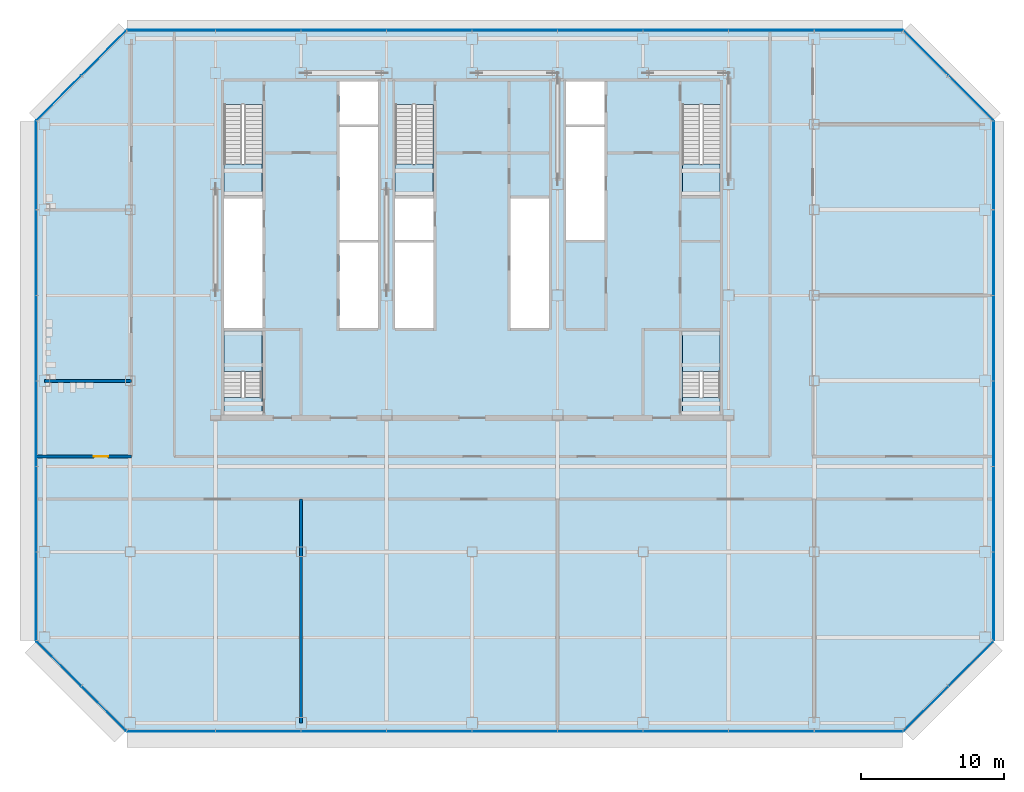
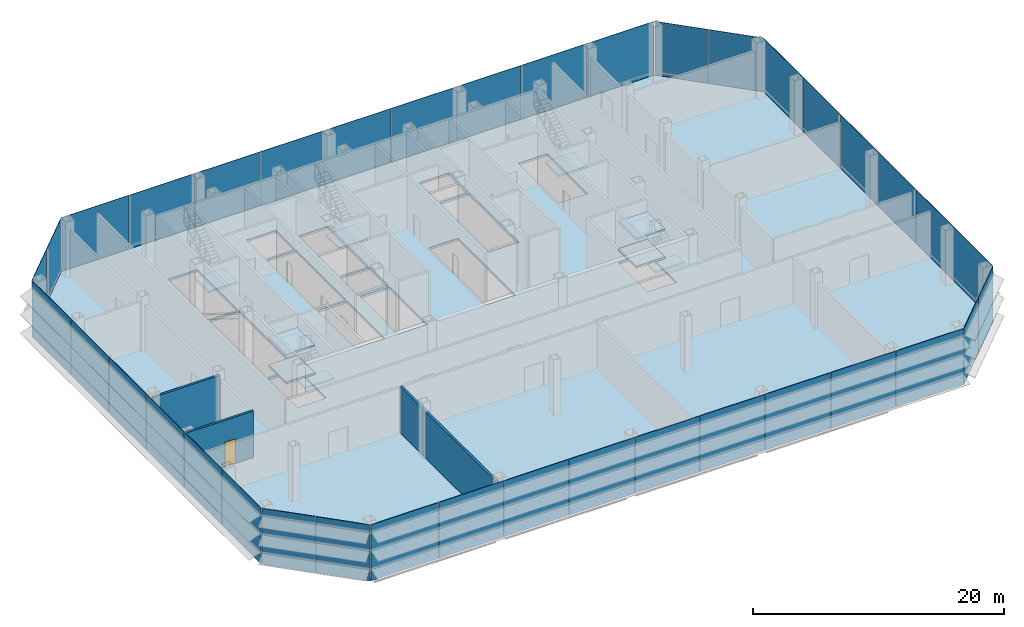
# One storey, part 15 of 23: 38 plates, 10 slabs, 3 walls, 1 door, 1 opening, 13 elements without a shape of their own.
"""IFC4 building model written with IfcOpenShell, lengths in metres."""

from ifc_helpers import new_model, si_unit, direction, frame, frame_2d, origin, origin_2d, place, context, subcontext, project, spatial, polyline, rectangle, outline, extrude, material, layer, layer_set, type_object, element, fill, aggregate, save


model = new_model("IFC4")

# Units and contexts
model_context = context("Model", 3, precision=1e-05, world=origin(), true_north=direction((0.0, 1.0)))
body_context = subcontext(model_context, "Body", "Model", "MODEL_VIEW")
ifc_project = project(units=[si_unit("LENGTHUNIT", "METRE"), si_unit("AREAUNIT", "SQUARE_METRE"), si_unit("VOLUMEUNIT", "CUBIC_METRE"), si_unit("PLANEANGLEUNIT", "RADIAN"), si_unit("MASSUNIT", "GRAM", prefix="KILO")], contexts=[model_context])

# Site, building, storey
site_placement = place(None, origin())
site = spatial("IfcSite", under=ifc_project, at=site_placement, CompositionType="ELEMENT")
building_placement = place(site_placement, origin())
building = spatial("IfcBuilding", under=site, at=building_placement, Name="Sorahane Residences", CompositionType="ELEMENT")
storey_placement = place(building_placement, frame((0.0, 0.0, 114.199951171875)))
storey = spatial("IfcBuildingStorey", under=building, at=storey_placement, Name="L25", CompositionType="ELEMENT", Elevation=114.199951171875)

# Slab
ifc_material_1 = material(Name="Concrete C35", Category="concrete")
ifc_layer_1 = layer(ifc_material_1, 0.219970703125)
ifc_layer_set_1 = layer_set([ifc_layer_1], Name="Composite floor slab 220 mm Concrete C35")
slab_type_1 = type_object("IfcSlabType", Name="Composite floor slab 220 mm Concrete C35", PredefinedType="FLOOR", material=ifc_layer_set_1)
slab_1_placement = place(storey_placement, frame((0.0, 0.0, -0.219970703125)))
element("IfcSlab", 1, at=slab_1_placement, inside=storey, type_object=slab_type_1, Name="Slab L25", PredefinedType="FLOOR", context=body_context, shape_type="SweptSolid", body=[
    extrude(outline(polyline([(-0.24853515625, -0.60009765625), (-6.60009765625, 5.75146484375), (-6.60009765625, 42.24853515625), (-0.24853515625, 48.60009765625), (54.24853515625, 48.60009765625), (60.60009765625, 42.24853515625), (60.60009765625, 5.75146484375), (54.24853515625, -0.60009765625), (-0.24853515625, -0.60009765625)]), holes=[polyline([(18.60009765625, 27.699951171875), (21.300048828125, 27.699951171875), (21.300048828125, 33.699951171875), (18.60009765625, 33.699951171875), (18.60009765625, 27.699951171875)]), polyline([(30.60009765625, 42.0), (33.300048828125, 42.0), (33.300048828125, 45.0), (30.60009765625, 45.0), (30.60009765625, 42.0)]), polyline([(14.699951171875, 27.699951171875), (17.39990234375, 27.699951171875), (17.39990234375, 33.699951171875), (14.699951171875, 33.699951171875), (14.699951171875, 27.699951171875)]), polyline([(14.699951171875, 42.0), (17.39990234375, 42.0), (17.39990234375, 45.0), (14.699951171875, 45.0), (14.699951171875, 42.0)]), polyline([(6.60009765625, 27.699951171875), (9.300048828125, 27.699951171875), (9.300048828125, 36.800048828125), (6.60009765625, 36.800048828125), (6.60009765625, 27.699951171875)]), polyline([(6.60009765625, 43.39990234375), (6.60009765625, 37.0), (9.25, 37.0), (9.25, 43.39990234375), (6.60009765625, 43.39990234375)]), polyline([(38.75, 43.39990234375), (38.75, 37.0), (41.39990234375, 37.0), (41.39990234375, 43.39990234375), (38.75, 43.39990234375)]), polyline([(18.60009765625, 43.39990234375), (18.60009765625, 37.0), (21.25, 37.0), (21.25, 43.39990234375), (18.60009765625, 43.39990234375)]), polyline([(9.25, 22.85009765625), (9.25, 27.5), (6.60009765625, 27.5), (6.60009765625, 22.85009765625), (9.25, 22.85009765625)]), polyline([(41.39990234375, 22.85009765625), (41.39990234375, 27.5), (38.75, 27.5), (38.75, 22.85009765625), (41.39990234375, 22.85009765625)]), polyline([(14.699951171875, 33.89990234375), (17.39990234375, 33.89990234375), (17.39990234375, 41.800048828125), (14.699951171875, 41.800048828125), (14.699951171875, 33.89990234375)]), polyline([(30.60009765625, 33.89990234375), (33.300048828125, 33.89990234375), (33.300048828125, 41.800048828125), (30.60009765625, 41.800048828125), (30.60009765625, 33.89990234375)]), polyline([(18.60009765625, 33.89990234375), (21.300048828125, 33.89990234375), (21.300048828125, 36.800048828125), (18.60009765625, 36.800048828125), (18.60009765625, 33.89990234375)]), polyline([(26.699951171875, 27.699951171875), (29.39990234375, 27.699951171875), (29.39990234375, 36.800048828125), (26.699951171875, 36.800048828125), (26.699951171875, 27.699951171875)])]), origin(), (0.0, 0.0, 1.0), 0.219970703125),
])

# Curtain wall, plates
ifc_material_2 = material(Name="Dark low-e glass and black anodised aluminium", Category="aluminium")
curtain_wall_type = type_object("IfcCurtainWallType", Name="Curtain wall CW-4 Sky floor frameless wall", PredefinedType="NOTDEFINED", material=ifc_material_2)
curtain_wall_1_placement = place(storey_placement, origin())
curtain_wall_1 = element("IfcCurtainWall", 2, at=curtain_wall_1_placement, inside=storey, type_object=curtain_wall_type, Name="CW-4 curtain wall L25 S1", PredefinedType="NOTDEFINED")
ifc_material_3 = material(Name="Dark low-e glass with black ceramic frit", Category="glass")
ifc_layer_2 = layer(ifc_material_3, 0.0400390625)
ifc_layer_set_2 = layer_set([ifc_layer_2], Name="Curtain wall glass panel dark low-e frameless with black frit band")
plate_type = type_object("IfcPlateType", Name="Curtain wall glass panel dark low-e frameless with black frit band", PredefinedType="CURTAIN_PANEL", material=ifc_layer_set_2)
plate_1_placement = place(storey_placement, frame((2.88818359375, -0.60009765625, -0.219970703125), z_axis=(0.0, 0.0, 1.0), x_axis=(1.0, 0.0, 0.0)))
plate_1 = element("IfcPlate", 3, at=plate_1_placement, type_object=plate_type, Name="CW-4 glass panel L25 S1.1", PredefinedType="CURTAIN_PANEL", context=body_context, shape_type="SweptSolid", body=[
    extrude(rectangle(XDim=6.173583984375, YDim=0.0400390625, at=origin_2d()), origin(), (0.0, 0.0, 1.0), 5.43994140625),
])
plate_2_placement = place(storey_placement, frame((9.0, -0.60009765625, -0.219970703125), z_axis=(0.0, 0.0, 1.0), x_axis=(1.0, 0.0, 0.0)))
plate_2 = element("IfcPlate", 4, at=plate_2_placement, type_object=plate_type, Name="CW-4 glass panel L25 S1.2", PredefinedType="CURTAIN_PANEL", context=body_context, shape_type="SweptSolid", body=[
    extrude(rectangle(XDim=5.949951171875, YDim=0.0400390625, at=origin_2d()), origin(), (0.0, 0.0, 1.0), 5.43994140625),
])
plate_3_placement = place(storey_placement, frame((15.0, -0.60009765625, -0.219970703125), z_axis=(0.0, 0.0, 1.0), x_axis=(1.0, 0.0, 0.0)))
plate_3 = element("IfcPlate", 5, at=plate_3_placement, type_object=plate_type, Name="CW-4 glass panel L25 S1.3", PredefinedType="CURTAIN_PANEL", context=body_context, shape_type="SweptSolid", body=[
    extrude(rectangle(XDim=5.949951171875, YDim=0.0400390625, at=origin_2d()), origin(), (0.0, 0.0, 1.0), 5.43994140625),
])
plate_4_placement = place(storey_placement, frame((21.0, -0.60009765625, -0.219970703125), z_axis=(0.0, 0.0, 1.0), x_axis=(1.0, 0.0, 0.0)))
plate_4 = element("IfcPlate", 6, at=plate_4_placement, type_object=plate_type, Name="CW-4 glass panel L25 S1.4", PredefinedType="CURTAIN_PANEL", context=body_context, shape_type="SweptSolid", body=[
    extrude(rectangle(XDim=5.949951171875, YDim=0.0400390625, at=origin_2d()), origin(), (0.0, 0.0, 1.0), 5.43994140625),
])
plate_5_placement = place(storey_placement, frame((27.0, -0.60009765625, -0.219970703125), z_axis=(0.0, 0.0, 1.0), x_axis=(1.0, 0.0, 0.0)))
plate_5 = element("IfcPlate", 7, at=plate_5_placement, type_object=plate_type, Name="CW-4 glass panel L25 S1.5", PredefinedType="CURTAIN_PANEL", context=body_context, shape_type="SweptSolid", body=[
    extrude(rectangle(XDim=5.949951171875, YDim=0.0400390625, at=origin_2d()), origin(), (0.0, 0.0, 1.0), 5.43994140625),
])
plate_6_placement = place(storey_placement, frame((33.0, -0.60009765625, -0.219970703125), z_axis=(0.0, 0.0, 1.0), x_axis=(1.0, 0.0, 0.0)))
plate_6 = element("IfcPlate", 8, at=plate_6_placement, type_object=plate_type, Name="CW-4 glass panel L25 S1.6", PredefinedType="CURTAIN_PANEL", context=body_context, shape_type="SweptSolid", body=[
    extrude(rectangle(XDim=5.949951171875, YDim=0.0400390625, at=origin_2d()), origin(), (0.0, 0.0, 1.0), 5.43994140625),
])
plate_7_placement = place(storey_placement, frame((39.0, -0.60009765625, -0.219970703125), z_axis=(0.0, 0.0, 1.0), x_axis=(1.0, 0.0, 0.0)))
plate_7 = element("IfcPlate", 9, at=plate_7_placement, type_object=plate_type, Name="CW-4 glass panel L25 S1.7", PredefinedType="CURTAIN_PANEL", context=body_context, shape_type="SweptSolid", body=[
    extrude(rectangle(XDim=5.949951171875, YDim=0.0400390625, at=origin_2d()), origin(), (0.0, 0.0, 1.0), 5.43994140625),
])
plate_8_placement = place(storey_placement, frame((45.0, -0.60009765625, -0.219970703125), z_axis=(0.0, 0.0, 1.0), x_axis=(1.0, 0.0, 0.0)))
plate_8 = element("IfcPlate", 10, at=plate_8_placement, type_object=plate_type, Name="CW-4 glass panel L25 S1.8", PredefinedType="CURTAIN_PANEL", context=body_context, shape_type="SweptSolid", body=[
    extrude(rectangle(XDim=5.949951171875, YDim=0.0400390625, at=origin_2d()), origin(), (0.0, 0.0, 1.0), 5.43994140625),
])
plate_9_placement = place(storey_placement, frame((51.11181640625, -0.60009765625, -0.219970703125), z_axis=(0.0, 0.0, 1.0), x_axis=(1.0, 0.0, 0.0)))
plate_9 = element("IfcPlate", 11, at=plate_9_placement, type_object=plate_type, Name="CW-4 glass panel L25 S1.9", PredefinedType="CURTAIN_PANEL", context=body_context, shape_type="SweptSolid", body=[
    extrude(rectangle(XDim=6.173583984375, YDim=0.0400390625, at=origin_2d()), origin(), (0.0, 0.0, 1.0), 5.43994140625),
])
aggregate(curtain_wall_1, [plate_1, plate_2, plate_3, plate_4, plate_5, plate_6, plate_7, plate_8, plate_9])

curtain_wall_2_placement = place(storey_placement, origin())
curtain_wall_2 = element("IfcCurtainWall", 12, at=curtain_wall_2_placement, inside=storey, type_object=curtain_wall_type, Name="CW-4 curtain wall L25 SE1", PredefinedType="NOTDEFINED")
plate_10_placement = place(storey_placement, frame((55.84521484375, 0.996826171875, -0.219970703125), z_axis=(0.0, 0.0, 1.0), x_axis=(0.707106781187, 0.707106781187, 0.0)))
plate_10 = element("IfcPlate", 13, at=plate_10_placement, type_object=plate_type, Name="CW-4 glass panel L25 SE1.1", PredefinedType="CURTAIN_PANEL", context=body_context, shape_type="SweptSolid", body=[
    extrude(rectangle(XDim=4.416259765625, YDim=0.0400390625, at=origin_2d()), origin(), (0.0, 0.0, 1.0), 5.43994140625),
])
plate_11_placement = place(storey_placement, frame((59.003173828125, 4.15478515625, -0.219970703125), z_axis=(0.0, 0.0, 1.0), x_axis=(0.707106781187, 0.707106781187, 0.0)))
plate_11 = element("IfcPlate", 14, at=plate_11_placement, type_object=plate_type, Name="CW-4 glass panel L25 SE1.2", PredefinedType="CURTAIN_PANEL", context=body_context, shape_type="SweptSolid", body=[
    extrude(rectangle(XDim=4.416259765625, YDim=0.0400390625, at=origin_2d()), origin(), (0.0, 0.0, 1.0), 5.43994140625),
])
aggregate(curtain_wall_2, [plate_10, plate_11])

curtain_wall_3_placement = place(storey_placement, origin())
curtain_wall_3 = element("IfcCurtainWall", 15, at=curtain_wall_3_placement, inside=storey, type_object=curtain_wall_type, Name="CW-4 curtain wall L25 E1", PredefinedType="NOTDEFINED")
plate_12_placement = place(storey_placement, frame((60.60009765625, 8.88818359375, -0.219970703125), z_axis=(0.0, 0.0, 1.0), x_axis=(0.0, 1.0, 0.0)))
plate_12 = element("IfcPlate", 16, at=plate_12_placement, type_object=plate_type, Name="CW-4 glass panel L25 E1.1", PredefinedType="CURTAIN_PANEL", context=body_context, shape_type="SweptSolid", body=[
    extrude(rectangle(XDim=6.173583984375, YDim=0.0400390625, at=origin_2d()), origin(), (0.0, 0.0, 1.0), 5.43994140625),
])
plate_13_placement = place(storey_placement, frame((60.60009765625, 15.0, -0.219970703125), z_axis=(0.0, 0.0, 1.0), x_axis=(0.0, 1.0, 0.0)))
plate_13 = element("IfcPlate", 17, at=plate_13_placement, type_object=plate_type, Name="CW-4 glass panel L25 E1.2", PredefinedType="CURTAIN_PANEL", context=body_context, shape_type="SweptSolid", body=[
    extrude(rectangle(XDim=5.949951171875, YDim=0.0400390625, at=origin_2d()), origin(), (0.0, 0.0, 1.0), 5.43994140625),
])
plate_14_placement = place(storey_placement, frame((60.60009765625, 21.0, -0.219970703125), z_axis=(0.0, 0.0, 1.0), x_axis=(0.0, 1.0, 0.0)))
plate_14 = element("IfcPlate", 18, at=plate_14_placement, type_object=plate_type, Name="CW-4 glass panel L25 E1.3", PredefinedType="CURTAIN_PANEL", context=body_context, shape_type="SweptSolid", body=[
    extrude(rectangle(XDim=5.949951171875, YDim=0.0400390625, at=origin_2d()), origin(), (0.0, 0.0, 1.0), 5.43994140625),
])
plate_15_placement = place(storey_placement, frame((60.60009765625, 27.0, -0.219970703125), z_axis=(0.0, 0.0, 1.0), x_axis=(0.0, 1.0, 0.0)))
plate_15 = element("IfcPlate", 19, at=plate_15_placement, type_object=plate_type, Name="CW-4 glass panel L25 E1.4", PredefinedType="CURTAIN_PANEL", context=body_context, shape_type="SweptSolid", body=[
    extrude(rectangle(XDim=5.949951171875, YDim=0.0400390625, at=origin_2d()), origin(), (0.0, 0.0, 1.0), 5.43994140625),
])
plate_16_placement = place(storey_placement, frame((60.60009765625, 33.0, -0.219970703125), z_axis=(0.0, 0.0, 1.0), x_axis=(0.0, 1.0, 0.0)))
plate_16 = element("IfcPlate", 20, at=plate_16_placement, type_object=plate_type, Name="CW-4 glass panel L25 E1.5", PredefinedType="CURTAIN_PANEL", context=body_context, shape_type="SweptSolid", body=[
    extrude(rectangle(XDim=5.949951171875, YDim=0.0400390625, at=origin_2d()), origin(), (0.0, 0.0, 1.0), 5.43994140625),
])
plate_17_placement = place(storey_placement, frame((60.60009765625, 39.11181640625, -0.219970703125), z_axis=(0.0, 0.0, 1.0), x_axis=(0.0, 1.0, 0.0)))
plate_17 = element("IfcPlate", 21, at=plate_17_placement, type_object=plate_type, Name="CW-4 glass panel L25 E1.6", PredefinedType="CURTAIN_PANEL", context=body_context, shape_type="SweptSolid", body=[
    extrude(rectangle(XDim=6.173583984375, YDim=0.0400390625, at=origin_2d()), origin(), (0.0, 0.0, 1.0), 5.43994140625),
])
aggregate(curtain_wall_3, [plate_12, plate_13, plate_14, plate_15, plate_16, plate_17])

curtain_wall_4_placement = place(storey_placement, origin())
curtain_wall_4 = element("IfcCurtainWall", 22, at=curtain_wall_4_placement, inside=storey, type_object=curtain_wall_type, Name="CW-4 curtain wall L25 NE1", PredefinedType="NOTDEFINED")
plate_18_placement = place(storey_placement, frame((59.003173828125, 43.84521484375, -0.219970703125), z_axis=(0.0, 0.0, 1.0), x_axis=(-0.707106781187, 0.707106781187, 0.0)))
plate_18 = element("IfcPlate", 23, at=plate_18_placement, type_object=plate_type, Name="CW-4 glass panel L25 NE1.1", PredefinedType="CURTAIN_PANEL", context=body_context, shape_type="SweptSolid", body=[
    extrude(rectangle(XDim=4.416259765625, YDim=0.0400390625, at=origin_2d()), origin(), (0.0, 0.0, 1.0), 5.43994140625),
])
plate_19_placement = place(storey_placement, frame((55.84521484375, 47.003173828125, -0.219970703125), z_axis=(0.0, 0.0, 1.0), x_axis=(-0.707106781187, 0.707106781187, 0.0)))
plate_19 = element("IfcPlate", 24, at=plate_19_placement, type_object=plate_type, Name="CW-4 glass panel L25 NE1.2", PredefinedType="CURTAIN_PANEL", context=body_context, shape_type="SweptSolid", body=[
    extrude(rectangle(XDim=4.416259765625, YDim=0.0400390625, at=origin_2d()), origin(), (0.0, 0.0, 1.0), 5.43994140625),
])
aggregate(curtain_wall_4, [plate_18, plate_19])

curtain_wall_5_placement = place(storey_placement, origin())
curtain_wall_5 = element("IfcCurtainWall", 25, at=curtain_wall_5_placement, inside=storey, type_object=curtain_wall_type, Name="CW-4 curtain wall L25 N1", PredefinedType="NOTDEFINED")
plate_20_placement = place(storey_placement, frame((51.11181640625, 48.60009765625, -0.219970703125), z_axis=(0.0, 0.0, 1.0), x_axis=(-1.0, 0.0, 0.0)))
plate_20 = element("IfcPlate", 26, at=plate_20_placement, type_object=plate_type, Name="CW-4 glass panel L25 N1.1", PredefinedType="CURTAIN_PANEL", context=body_context, shape_type="SweptSolid", body=[
    extrude(rectangle(XDim=6.173583984375, YDim=0.0400390625, at=origin_2d()), origin(), (0.0, 0.0, 1.0), 5.43994140625),
])
plate_21_placement = place(storey_placement, frame((45.0, 48.60009765625, -0.219970703125), z_axis=(0.0, 0.0, 1.0), x_axis=(-1.0, 0.0, 0.0)))
plate_21 = element("IfcPlate", 27, at=plate_21_placement, type_object=plate_type, Name="CW-4 glass panel L25 N1.2", PredefinedType="CURTAIN_PANEL", context=body_context, shape_type="SweptSolid", body=[
    extrude(rectangle(XDim=5.949951171875, YDim=0.0400390625, at=origin_2d()), origin(), (0.0, 0.0, 1.0), 5.43994140625),
])
plate_22_placement = place(storey_placement, frame((39.0, 48.60009765625, -0.219970703125), z_axis=(0.0, 0.0, 1.0), x_axis=(-1.0, 0.0, 0.0)))
plate_22 = element("IfcPlate", 28, at=plate_22_placement, type_object=plate_type, Name="CW-4 glass panel L25 N1.3", PredefinedType="CURTAIN_PANEL", context=body_context, shape_type="SweptSolid", body=[
    extrude(rectangle(XDim=5.949951171875, YDim=0.0400390625, at=origin_2d()), origin(), (0.0, 0.0, 1.0), 5.43994140625),
])
plate_23_placement = place(storey_placement, frame((33.0, 48.60009765625, -0.219970703125), z_axis=(0.0, 0.0, 1.0), x_axis=(-1.0, 0.0, 0.0)))
plate_23 = element("IfcPlate", 29, at=plate_23_placement, type_object=plate_type, Name="CW-4 glass panel L25 N1.4", PredefinedType="CURTAIN_PANEL", context=body_context, shape_type="SweptSolid", body=[
    extrude(rectangle(XDim=5.949951171875, YDim=0.0400390625, at=origin_2d()), origin(), (0.0, 0.0, 1.0), 5.43994140625),
])
plate_24_placement = place(storey_placement, frame((27.0, 48.60009765625, -0.219970703125), z_axis=(0.0, 0.0, 1.0), x_axis=(-1.0, 0.0, 0.0)))
plate_24 = element("IfcPlate", 30, at=plate_24_placement, type_object=plate_type, Name="CW-4 glass panel L25 N1.5", PredefinedType="CURTAIN_PANEL", context=body_context, shape_type="SweptSolid", body=[
    extrude(rectangle(XDim=5.949951171875, YDim=0.0400390625, at=origin_2d()), origin(), (0.0, 0.0, 1.0), 5.43994140625),
])
plate_25_placement = place(storey_placement, frame((21.0, 48.60009765625, -0.219970703125), z_axis=(0.0, 0.0, 1.0), x_axis=(-1.0, 0.0, 0.0)))
plate_25 = element("IfcPlate", 31, at=plate_25_placement, type_object=plate_type, Name="CW-4 glass panel L25 N1.6", PredefinedType="CURTAIN_PANEL", context=body_context, shape_type="SweptSolid", body=[
    extrude(rectangle(XDim=5.949951171875, YDim=0.0400390625, at=origin_2d()), origin(), (0.0, 0.0, 1.0), 5.43994140625),
])
plate_26_placement = place(storey_placement, frame((15.0, 48.60009765625, -0.219970703125), z_axis=(0.0, 0.0, 1.0), x_axis=(-1.0, 0.0, 0.0)))
plate_26 = element("IfcPlate", 32, at=plate_26_placement, type_object=plate_type, Name="CW-4 glass panel L25 N1.7", PredefinedType="CURTAIN_PANEL", context=body_context, shape_type="SweptSolid", body=[
    extrude(rectangle(XDim=5.949951171875, YDim=0.0400390625, at=origin_2d()), origin(), (0.0, 0.0, 1.0), 5.43994140625),
])
plate_27_placement = place(storey_placement, frame((9.0, 48.60009765625, -0.219970703125), z_axis=(0.0, 0.0, 1.0), x_axis=(-1.0, 0.0, 0.0)))
plate_27 = element("IfcPlate", 33, at=plate_27_placement, type_object=plate_type, Name="CW-4 glass panel L25 N1.8", PredefinedType="CURTAIN_PANEL", context=body_context, shape_type="SweptSolid", body=[
    extrude(rectangle(XDim=5.949951171875, YDim=0.0400390625, at=origin_2d()), origin(), (0.0, 0.0, 1.0), 5.43994140625),
])
plate_28_placement = place(storey_placement, frame((2.88818359375, 48.60009765625, -0.219970703125), z_axis=(0.0, 0.0, 1.0), x_axis=(-1.0, 0.0, 0.0)))
plate_28 = element("IfcPlate", 34, at=plate_28_placement, type_object=plate_type, Name="CW-4 glass panel L25 N1.9", PredefinedType="CURTAIN_PANEL", context=body_context, shape_type="SweptSolid", body=[
    extrude(rectangle(XDim=6.173583984375, YDim=0.0400390625, at=origin_2d()), origin(), (0.0, 0.0, 1.0), 5.43994140625),
])
aggregate(curtain_wall_5, [plate_20, plate_21, plate_22, plate_23, plate_24, plate_25, plate_26, plate_27, plate_28])

curtain_wall_6_placement = place(storey_placement, origin())
curtain_wall_6 = element("IfcCurtainWall", 35, at=curtain_wall_6_placement, inside=storey, type_object=curtain_wall_type, Name="CW-4 curtain wall L25 NW1", PredefinedType="NOTDEFINED")
plate_29_placement = place(storey_placement, frame((-1.84521484375, 47.003173828125, -0.219970703125), z_axis=(0.0, 0.0, 1.0), x_axis=(-0.707106781187, -0.707106781187, 0.0)))
plate_29 = element("IfcPlate", 36, at=plate_29_placement, type_object=plate_type, Name="CW-4 glass panel L25 NW1.1", PredefinedType="CURTAIN_PANEL", context=body_context, shape_type="SweptSolid", body=[
    extrude(rectangle(XDim=4.416259765625, YDim=0.0400390625, at=origin_2d()), origin(), (0.0, 0.0, 1.0), 5.43994140625),
])
plate_30_placement = place(storey_placement, frame((-5.003173828125, 43.84521484375, -0.219970703125), z_axis=(0.0, 0.0, 1.0), x_axis=(-0.707106781187, -0.707106781187, 0.0)))
plate_30 = element("IfcPlate", 37, at=plate_30_placement, type_object=plate_type, Name="CW-4 glass panel L25 NW1.2", PredefinedType="CURTAIN_PANEL", context=body_context, shape_type="SweptSolid", body=[
    extrude(rectangle(XDim=4.416259765625, YDim=0.0400390625, at=origin_2d()), origin(), (0.0, 0.0, 1.0), 5.43994140625),
])
aggregate(curtain_wall_6, [plate_29, plate_30])

curtain_wall_7_placement = place(storey_placement, origin())
curtain_wall_7 = element("IfcCurtainWall", 38, at=curtain_wall_7_placement, inside=storey, type_object=curtain_wall_type, Name="CW-4 curtain wall L25 W1", PredefinedType="NOTDEFINED")
plate_31_placement = place(storey_placement, frame((-6.60009765625, 39.11181640625, -0.219970703125), z_axis=(0.0, 0.0, 1.0), x_axis=(0.0, -1.0, 0.0)))
plate_31 = element("IfcPlate", 39, at=plate_31_placement, type_object=plate_type, Name="CW-4 glass panel L25 W1.1", PredefinedType="CURTAIN_PANEL", context=body_context, shape_type="SweptSolid", body=[
    extrude(rectangle(XDim=6.173583984375, YDim=0.0400390625, at=origin_2d()), origin(), (0.0, 0.0, 1.0), 5.43994140625),
])
plate_32_placement = place(storey_placement, frame((-6.60009765625, 33.0, -0.219970703125), z_axis=(0.0, 0.0, 1.0), x_axis=(0.0, -1.0, 0.0)))
plate_32 = element("IfcPlate", 40, at=plate_32_placement, type_object=plate_type, Name="CW-4 glass panel L25 W1.2", PredefinedType="CURTAIN_PANEL", context=body_context, shape_type="SweptSolid", body=[
    extrude(rectangle(XDim=5.949951171875, YDim=0.0400390625, at=origin_2d()), origin(), (0.0, 0.0, 1.0), 5.43994140625),
])
plate_33_placement = place(storey_placement, frame((-6.60009765625, 27.0, -0.219970703125), z_axis=(0.0, 0.0, 1.0), x_axis=(0.0, -1.0, 0.0)))
plate_33 = element("IfcPlate", 41, at=plate_33_placement, type_object=plate_type, Name="CW-4 glass panel L25 W1.3", PredefinedType="CURTAIN_PANEL", context=body_context, shape_type="SweptSolid", body=[
    extrude(rectangle(XDim=5.949951171875, YDim=0.0400390625, at=origin_2d()), origin(), (0.0, 0.0, 1.0), 5.43994140625),
])
plate_34_placement = place(storey_placement, frame((-6.60009765625, 21.0, -0.219970703125), z_axis=(0.0, 0.0, 1.0), x_axis=(0.0, -1.0, 0.0)))
plate_34 = element("IfcPlate", 42, at=plate_34_placement, type_object=plate_type, Name="CW-4 glass panel L25 W1.4", PredefinedType="CURTAIN_PANEL", context=body_context, shape_type="SweptSolid", body=[
    extrude(rectangle(XDim=5.949951171875, YDim=0.0400390625, at=origin_2d()), origin(), (0.0, 0.0, 1.0), 5.43994140625),
])
plate_35_placement = place(storey_placement, frame((-6.60009765625, 15.0, -0.219970703125), z_axis=(0.0, 0.0, 1.0), x_axis=(0.0, -1.0, 0.0)))
plate_35 = element("IfcPlate", 43, at=plate_35_placement, type_object=plate_type, Name="CW-4 glass panel L25 W1.5", PredefinedType="CURTAIN_PANEL", context=body_context, shape_type="SweptSolid", body=[
    extrude(rectangle(XDim=5.949951171875, YDim=0.0400390625, at=origin_2d()), origin(), (0.0, 0.0, 1.0), 5.43994140625),
])
plate_36_placement = place(storey_placement, frame((-6.60009765625, 8.88818359375, -0.219970703125), z_axis=(0.0, 0.0, 1.0), x_axis=(0.0, -1.0, 0.0)))
plate_36 = element("IfcPlate", 44, at=plate_36_placement, type_object=plate_type, Name="CW-4 glass panel L25 W1.6", PredefinedType="CURTAIN_PANEL", context=body_context, shape_type="SweptSolid", body=[
    extrude(rectangle(XDim=6.173583984375, YDim=0.0400390625, at=origin_2d()), origin(), (0.0, 0.0, 1.0), 5.43994140625),
])
aggregate(curtain_wall_7, [plate_31, plate_32, plate_33, plate_34, plate_35, plate_36])

curtain_wall_8_placement = place(storey_placement, origin())
curtain_wall_8 = element("IfcCurtainWall", 45, at=curtain_wall_8_placement, inside=storey, type_object=curtain_wall_type, Name="CW-4 curtain wall L25 SW1", PredefinedType="NOTDEFINED")
plate_37_placement = place(storey_placement, frame((-5.003173828125, 4.15478515625, -0.219970703125), z_axis=(0.0, 0.0, 1.0), x_axis=(0.707106781187, -0.707106781187, 0.0)))
plate_37 = element("IfcPlate", 46, at=plate_37_placement, type_object=plate_type, Name="CW-4 glass panel L25 SW1.1", PredefinedType="CURTAIN_PANEL", context=body_context, shape_type="SweptSolid", body=[
    extrude(rectangle(XDim=4.416259765625, YDim=0.0400390625, at=origin_2d()), origin(), (0.0, 0.0, 1.0), 5.43994140625),
])
plate_38_placement = place(storey_placement, frame((-1.84521484375, 0.996826171875, -0.219970703125), z_axis=(0.0, 0.0, 1.0), x_axis=(0.707106781187, -0.707106781187, 0.0)))
plate_38 = element("IfcPlate", 47, at=plate_38_placement, type_object=plate_type, Name="CW-4 glass panel L25 SW1.2", PredefinedType="CURTAIN_PANEL", context=body_context, shape_type="SweptSolid", body=[
    extrude(rectangle(XDim=4.416259765625, YDim=0.0400390625, at=origin_2d()), origin(), (0.0, 0.0, 1.0), 5.43994140625),
])
aggregate(curtain_wall_8, [plate_37, plate_38])

# Stair, slab
ifc_material_4 = material(Name="Concrete C40", Category="concrete")
stair_type = type_object("IfcStairType", Name="Dog-leg stair 1250 Concrete C40", PredefinedType="HALF_TURN_STAIR", material=ifc_material_4)
stair_1_placement = place(storey_placement, origin())
stair_1 = element("IfcStair", 48, at=stair_1_placement, inside=storey, type_object=stair_type, Name="L25 Stair S1", PredefinedType="HALF_TURN_STAIR")
ifc_material_5 = material(Name="Concrete C40", Category="concrete")
ifc_layer_3 = layer(ifc_material_5, 0.199951171875)
ifc_layer_set_3 = layer_set([ifc_layer_3], Name="Stair landing 200 Concrete C40")
slab_type_2 = type_object("IfcSlabType", Name="Stair landing 200 Concrete C40", PredefinedType="LANDING", material=ifc_layer_set_3)
slab_2_placement = place(storey_placement, frame((0.0, 0.0, 2.5)))
slab_2 = element("IfcSlab", 49, at=slab_2_placement, type_object=slab_type_2, Name="S1 landing 1", PredefinedType="LANDING", context=body_context, shape_type="SweptSolid", body=[
    extrude(outline(polyline([(6.60009765625, 39.199951171875), (6.60009765625, 37.0), (9.25, 37.0), (9.25, 39.199951171875), (6.60009765625, 39.199951171875)])), origin(), (0.0, 0.0, 1.0), 0.199951171875),
])
aggregate(stair_1, [slab_2])

stair_2_placement = place(storey_placement, origin())
stair_2 = element("IfcStair", 50, at=stair_2_placement, inside=storey, type_object=stair_type, Name="L25 Stair S2", PredefinedType="HALF_TURN_STAIR")
slab_3_placement = place(storey_placement, frame((0.0, 0.0, 2.5)))
slab_3 = element("IfcSlab", 51, at=slab_3_placement, type_object=slab_type_2, Name="S2 landing 1", PredefinedType="LANDING", context=body_context, shape_type="SweptSolid", body=[
    extrude(outline(polyline([(38.75, 39.199951171875), (38.75, 37.0), (41.39990234375, 37.0), (41.39990234375, 39.199951171875), (38.75, 39.199951171875)])), origin(), (0.0, 0.0, 1.0), 0.199951171875),
])
aggregate(stair_2, [slab_3])

stair_3_placement = place(storey_placement, origin())
stair_3 = element("IfcStair", 52, at=stair_3_placement, inside=storey, type_object=stair_type, Name="L25 Stair S3", PredefinedType="HALF_TURN_STAIR")
slab_4_placement = place(storey_placement, frame((0.0, 0.0, 2.5)))
slab_4 = element("IfcSlab", 53, at=slab_4_placement, type_object=slab_type_2, Name="S3 landing 1", PredefinedType="LANDING", context=body_context, shape_type="SweptSolid", body=[
    extrude(outline(polyline([(18.60009765625, 39.199951171875), (18.60009765625, 37.0), (21.25, 37.0), (21.25, 39.199951171875), (18.60009765625, 39.199951171875)])), origin(), (0.0, 0.0, 1.0), 0.199951171875),
])
aggregate(stair_3, [slab_4])

# Stair, slabs
stair_4_placement = place(storey_placement, origin())
stair_4 = element("IfcStair", 54, at=stair_4_placement, inside=storey, type_object=stair_type, Name="L25 Stair S4", PredefinedType="HALF_TURN_STAIR")
slab_5_placement = place(storey_placement, frame((0.0, 0.0, 1.150146484375)))
slab_5 = element("IfcSlab", 55, at=slab_5_placement, type_object=slab_type_2, Name="S4 landing 1", PredefinedType="LANDING", context=body_context, shape_type="SweptSolid", body=[
    extrude(outline(polyline([(9.25, 24.669921875), (9.25, 27.5), (6.60009765625, 27.5), (6.60009765625, 24.669921875), (9.25, 24.669921875)])), origin(), (0.0, 0.0, 1.0), 0.199951171875),
])
slab_6_placement = place(storey_placement, frame((0.0, 0.0, 2.5)))
slab_6 = element("IfcSlab", 56, at=slab_6_placement, type_object=slab_type_2, Name="S4 landing 2", PredefinedType="LANDING", context=body_context, shape_type="SweptSolid", body=[
    extrude(outline(polyline([(9.25, 21.60009765625), (9.25, 22.85009765625), (6.60009765625, 22.85009765625), (6.60009765625, 21.60009765625), (9.25, 21.60009765625)])), origin(), (0.0, 0.0, 1.0), 0.199951171875),
])
slab_7_placement = place(storey_placement, frame((0.0, 0.0, 3.85009765625)))
slab_7 = element("IfcSlab", 57, at=slab_7_placement, type_object=slab_type_2, Name="S4 landing 3", PredefinedType="LANDING", context=body_context, shape_type="SweptSolid", body=[
    extrude(outline(polyline([(9.25, 24.669921875), (9.25, 27.5), (6.60009765625, 27.5), (6.60009765625, 24.669921875), (9.25, 24.669921875)])), origin(), (0.0, 0.0, 1.0), 0.199951171875),
])
aggregate(stair_4, [slab_5, slab_6, slab_7])

stair_5_placement = place(storey_placement, origin())
stair_5 = element("IfcStair", 58, at=stair_5_placement, inside=storey, type_object=stair_type, Name="L25 Stair S5", PredefinedType="HALF_TURN_STAIR")
slab_8_placement = place(storey_placement, frame((0.0, 0.0, 1.150146484375)))
slab_8 = element("IfcSlab", 59, at=slab_8_placement, type_object=slab_type_2, Name="S5 landing 1", PredefinedType="LANDING", context=body_context, shape_type="SweptSolid", body=[
    extrude(outline(polyline([(41.39990234375, 24.669921875), (41.39990234375, 27.5), (38.75, 27.5), (38.75, 24.669921875), (41.39990234375, 24.669921875)])), origin(), (0.0, 0.0, 1.0), 0.199951171875),
])
slab_9_placement = place(storey_placement, frame((0.0, 0.0, 2.5)))
slab_9 = element("IfcSlab", 60, at=slab_9_placement, type_object=slab_type_2, Name="S5 landing 2", PredefinedType="LANDING", context=body_context, shape_type="SweptSolid", body=[
    extrude(outline(polyline([(41.39990234375, 21.60009765625), (41.39990234375, 22.85009765625), (38.75, 22.85009765625), (38.75, 21.60009765625), (41.39990234375, 21.60009765625)])), origin(), (0.0, 0.0, 1.0), 0.199951171875),
])
slab_10_placement = place(storey_placement, frame((0.0, 0.0, 3.85009765625)))
slab_10 = element("IfcSlab", 61, at=slab_10_placement, type_object=slab_type_2, Name="S5 landing 3", PredefinedType="LANDING", context=body_context, shape_type="SweptSolid", body=[
    extrude(outline(polyline([(41.39990234375, 24.669921875), (41.39990234375, 27.5), (38.75, 27.5), (38.75, 24.669921875), (41.39990234375, 24.669921875)])), origin(), (0.0, 0.0, 1.0), 0.199951171875),
])
aggregate(stair_5, [slab_8, slab_9, slab_10])

# Wall
ifc_material_6 = material(Name="Concrete blockwork C20 wall", Category="masonry")
ifc_layer_4 = layer(ifc_material_6, 0.199951171875)
ifc_layer_set_4 = layer_set([ifc_layer_4], Name="Corridor wall 200 EI 120")
wall_type = type_object("IfcWallType", Name="Corridor wall 200 EI 120", PredefinedType="SOLIDWALL", material=ifc_layer_set_4)
wall_1_placement = place(storey_placement, frame((12.0, 0.0, 0.0), z_axis=(0.0, 0.0, 1.0), x_axis=(0.0, 1.0, 0.0)))
element("IfcWall", 62, at=wall_1_placement, inside=storey, type_object=wall_type, Name="L25 corridor wall", PredefinedType="SOLIDWALL", context=body_context, shape_type="SweptSolid", body=[
    extrude(rectangle(XDim=15.699951171875, YDim=0.199951171875, at=frame_2d((7.85009765625, 0.0))), origin(), (0.0, 0.0, 1.0), 4.52001953125),
])

# Wall, opening, door
wall_2_placement = place(storey_placement, frame((-6.60009765625, 18.699951171875, 0.0), z_axis=(0.0, 0.0, 1.0), x_axis=(1.0, 0.0, 0.0)))
wall_2 = element("IfcWall", 63, at=wall_2_placement, inside=storey, type_object=wall_type, Name="L25 corridor wall", PredefinedType="SOLIDWALL", context=body_context, shape_type="SweptSolid", body=[
    extrude(rectangle(XDim=6.7001953125, YDim=0.199951171875, at=frame_2d((3.35009765625, 0.0))), origin(), (0.0, 0.0, 1.0), 4.52001953125),
])
opening_placement = place(wall_2_placement, frame((4.070068359375, 0.0, 0.0)))
opening = element("IfcOpeningElement", 64, at=opening_placement, cuts=wall_2, Name="Opening L25-05", PredefinedType="OPENING", context=body_context, shape_type="SweptSolid", body=[
    extrude(rectangle(XDim=1.0, YDim=2.39990234375, at=frame_2d((0.5, 1.199951171875))), frame((0.0, 0.10986328125, 0.0), z_axis=(0.0, -1.0, 0.0), x_axis=(1.0, 0.0, 0.0)), (0.0, 0.0, 1.0), 0.219970703125),
])
ifc_material_7 = material(Name="Timber veneered fire door", Category="wood")
door_type = type_object("IfcDoorType", Name="Room door 1000x2400 FD30", OperationType="NOTDEFINED", PredefinedType="DOOR", material=ifc_material_7)
door_placement = place(opening_placement, origin())
door = element("IfcDoor", 65, at=door_placement, inside=storey, type_object=door_type, Name="Room door L25-05", OperationType="SINGLE_SWING_LEFT", OverallHeight=2.39990234375, OverallWidth=1.0, PredefinedType="DOOR", context=body_context, shape_type="SweptSolid", body=[
    extrude(rectangle(XDim=1.0, YDim=2.39990234375, at=frame_2d((0.5, 1.199951171875))), frame((0.0, 0.02490234375, 0.0), z_axis=(0.0, -1.0, 0.0), x_axis=(1.0, 0.0, 0.0)), (0.0, 0.0, 1.0), 0.050048828125),
])
fill(opening, door)

# Wall
wall_3_placement = place(storey_placement, frame((-6.0, 24.0, 0.0), z_axis=(0.0, 0.0, 1.0), x_axis=(1.0, 0.0, 0.0)))
element("IfcWall", 66, at=wall_3_placement, inside=storey, type_object=wall_type, Name="L25 corridor wall", PredefinedType="SOLIDWALL", context=body_context, shape_type="SweptSolid", body=[
    extrude(rectangle(XDim=6.10009765625, YDim=0.199951171875, at=frame_2d((3.050048828125, 0.0))), origin(), (0.0, 0.0, 1.0), 4.77001953125),
])

save(model, "model.ifc")
